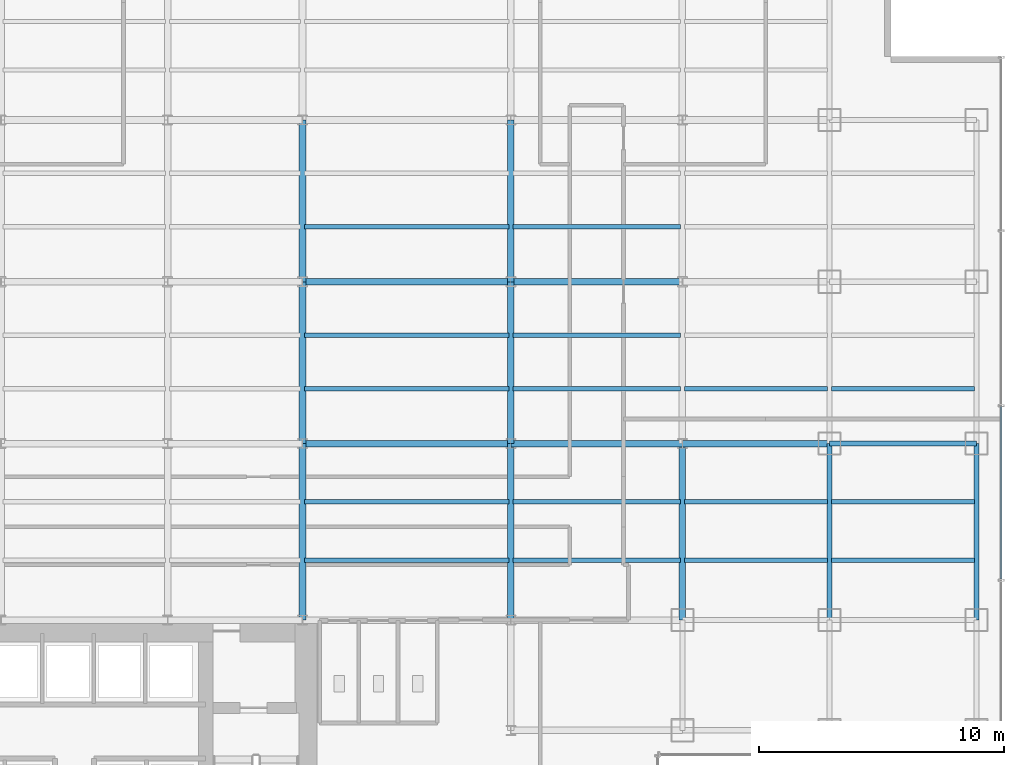
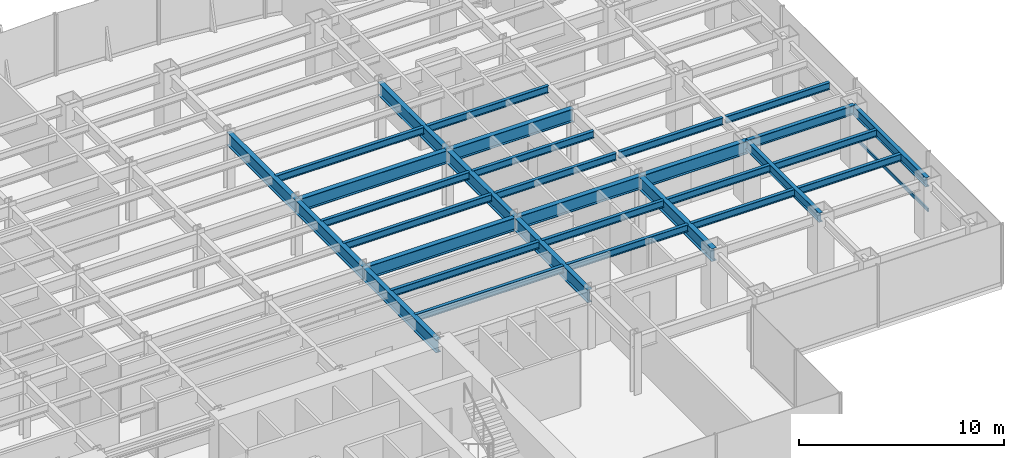
# One storey, part 8 of 22: 31 beams, 1 member, 1 element without a shape of its own.
"""IFC4 building model written with IfcOpenShell, lengths in metres."""

from ifc_helpers import new_model, si_unit, derived_unit, direction, frame, origin, origin_2d, place, context, subcontext, project, spatial, hollow_rectangle, i_section, extrude, source, transform, mapped, material, material_profile, profile_set, type_object, element, aggregate, save


model = new_model("IFC4")

# Units and contexts
model_context = context("Model", 3, precision=1e-05, world=origin(), true_north=direction((0.0, 1.0)))
body_context = subcontext(model_context, "Body", "Model", "MODEL_VIEW")
ifc_project = project(units=[si_unit("LENGTHUNIT", "METRE"), si_unit("AREAUNIT", "SQUARE_METRE"), si_unit("VOLUMEUNIT", "CUBIC_METRE"), si_unit("PLANEANGLEUNIT", "RADIAN"), si_unit("MASSUNIT", "GRAM", prefix="KILO"), derived_unit("THERMALTRANSMITTANCEUNIT", [(si_unit("POWERUNIT", "WATT"), 1), (si_unit("LENGTHUNIT", "METRE"), -2), (si_unit("THERMODYNAMICTEMPERATUREUNIT", "KELVIN"), -1)])], contexts=[model_context])

# Site, building, storey
site_placement = place(None, origin())
site = spatial("IfcSite", under=ifc_project, at=site_placement, CompositionType="ELEMENT")
building_placement = place(site_placement, origin())
building = spatial("IfcBuilding", under=site, at=building_placement, Name="Skarnbrae Concourse Arena and Tower", CompositionType="ELEMENT")
storey_placement = place(building_placement, frame((0.0, 0.0, 39.800048828125)))
storey = spatial("IfcBuildingStorey", under=building, at=storey_placement, Name="L08", CompositionType="ELEMENT", Elevation=39.800048828125)

# Beams
ifc_material_1 = material(Name="Steel CSA G40.21 350W", Category="steel")
ifc_material_profile_1 = material_profile(ifc_material_1, i_section(OverallWidth=0.26806640625, OverallDepth=0.77001953125, WebThickness=0.015625, FlangeThickness=0.025390625, at=origin_2d()), Name="W760X196")
ifc_profile_set_1 = profile_set([ifc_material_profile_1], Name="Steel CSA G40.21 350W")
beam_type_1 = type_object("IfcBeamType", Name="BM-GIRD-W760X196", PredefinedType="BEAM", material=ifc_profile_set_1)
shared_shape_1 = source(origin(), body_context, "Body", "SweptSolid", [
    extrude(i_section(OverallWidth=0.26806640625, OverallDepth=0.77001953125, WebThickness=0.015625, FlangeThickness=0.025390625, at=origin_2d()), origin(), (0.0, 0.0, 1.0), 7.0),
])
for number, where, z_axis, x_axis, name in (
    (1, (42.0, 21.199951171875, 3.014892578125), (1.0, 0.0, 0.0), (0.0, 1.0, 0.0), "L08 Primary E-W girder Y21.2-7"),
    (2, (42.0, 27.800048828125, 3.014892578125), (1.0, 0.0, 0.0), (0.0, 1.0, 0.0), "L08 Primary E-W girder Y27.8-7"),
):
    element("IfcBeam", number, at=place(storey_placement, frame(where, z_axis=z_axis, x_axis=x_axis)), inside=storey, type_object=beam_type_1, Name=name, PredefinedType="BEAM", context=body_context, shape_type="MappedRepresentation", body=[
        mapped(shared_shape_1, transform((0.0, 0.0, 0.0))),
    ])
ifc_material_profile_2 = material_profile(ifc_material_1, i_section(OverallWidth=0.214111328125, OverallDepth=0.549072265625, WebThickness=0.0146484375, FlangeThickness=0.023681640625, at=origin_2d()), Name="W530X138")
ifc_profile_set_2 = profile_set([ifc_material_profile_2], Name="Steel CSA G40.21 350W")
beam_type_2 = type_object("IfcBeamType", Name="BM-SPAN-W530X138", PredefinedType="SPANDREL", material=ifc_profile_set_2)
shared_shape_2 = source(origin(), body_context, "Body", "SweptSolid", [
    extrude(i_section(OverallWidth=0.214111328125, OverallDepth=0.549072265625, WebThickness=0.0146484375, FlangeThickness=0.023681640625, at=origin_2d()), origin(), (0.0, 0.0, 1.0), 6.0),
])
beam_1_placement = place(storey_placement, frame((55.0, 21.199951171875, 3.12548828125), z_axis=(1.0, 0.0, 0.0), x_axis=(0.0, 1.0, 0.0)))
element("IfcBeam", 3, at=beam_1_placement, inside=storey, type_object=beam_type_2, Name="L08 Perimeter spandrel Y21.2-9", PredefinedType="SPANDREL", context=body_context, shape_type="MappedRepresentation", body=[
    mapped(shared_shape_2, transform((0.0, 0.0, 0.0))),
])
shared_shape_3 = source(origin(), body_context, "Body", "SweptSolid", [
    extrude(i_section(OverallWidth=0.26806640625, OverallDepth=0.77001953125, WebThickness=0.015625, FlangeThickness=0.025390625, at=origin_2d()), origin(), (0.0, 0.0, 1.0), 6.60009765625),
])
for number, where, z_axis, x_axis, name in (
    (4, (33.5, 21.199951171875, 3.014892578125), (0.0, 1.0, 0.0), (-1.0, 0.0, 0.0), "L08 Primary N-S girder X33.5-2"),
    (5, (42.0, 21.199951171875, 3.014892578125), (0.0, 1.0, 0.0), (-1.0, 0.0, 0.0), "L08 Primary N-S girder X42.0-3"),
):
    element("IfcBeam", number, at=place(storey_placement, frame(where, z_axis=z_axis, x_axis=x_axis)), inside=storey, type_object=beam_type_1, Name=name, PredefinedType="BEAM", context=body_context, shape_type="MappedRepresentation", body=[
        mapped(shared_shape_3, transform((0.0, 0.0, 0.0))),
    ])
shared_shape_4 = source(origin(), body_context, "Body", "SweptSolid", [
    extrude(i_section(OverallWidth=0.26806640625, OverallDepth=0.77001953125, WebThickness=0.015625, FlangeThickness=0.025390625, at=origin_2d()), origin(), (0.0, 0.0, 1.0), 8.5),
])
for number, where, z_axis, x_axis, name in (
    (6, (33.5, 21.199951171875, 3.014892578125), (1.0, 0.0, 0.0), (0.0, 1.0, 0.0), "L08 Primary E-W girder Y21.2-6"),
    (7, (33.5, 27.800048828125, 3.014892578125), (1.0, 0.0, 0.0), (0.0, 1.0, 0.0), "L08 Primary E-W girder Y27.8-6"),
):
    element("IfcBeam", number, at=place(storey_placement, frame(where, z_axis=z_axis, x_axis=x_axis)), inside=storey, type_object=beam_type_1, Name=name, PredefinedType="BEAM", context=body_context, shape_type="MappedRepresentation", body=[
        mapped(shared_shape_4, transform((0.0, 0.0, 0.0))),
    ])
shared_shape_5 = source(origin(), body_context, "Body", "SweptSolid", [
    extrude(i_section(OverallWidth=0.26806640625, OverallDepth=0.77001953125, WebThickness=0.015625, FlangeThickness=0.025390625, at=origin_2d()), origin(), (0.0, 0.0, 1.0), 6.0),
])
beam_2_placement = place(storey_placement, frame((49.0, 21.199951171875, 3.014892578125), z_axis=(1.0, 0.0, 0.0), x_axis=(0.0, 1.0, 0.0)))
element("IfcBeam", 8, at=beam_2_placement, inside=storey, type_object=beam_type_1, Name="L08 Primary E-W girder Y21.2-8", PredefinedType="BEAM", context=body_context, shape_type="MappedRepresentation", body=[
    mapped(shared_shape_5, transform((0.0, 0.0, 0.0))),
])
shared_shape_6 = source(origin(), body_context, "Body", "SweptSolid", [
    extrude(i_section(OverallWidth=0.214111328125, OverallDepth=0.549072265625, WebThickness=0.0146484375, FlangeThickness=0.023681640625, at=origin_2d()), origin(), (0.0, 0.0, 1.0), 7.199951171875),
])
for number, where, z_axis, x_axis, name in (
    (9, (55.0, 14.0, 3.12548828125), (0.0, 1.0, 0.0), (-1.0, 0.0, 0.0), "L08 Perimeter spandrel X55.0-2"),
    (10, (61.0, 14.0, 3.12548828125), (0.0, 1.0, 0.0), (-1.0, 0.0, 0.0), "L08 Perimeter spandrel X61.0-2"),
):
    element("IfcBeam", number, at=place(storey_placement, frame(where, z_axis=z_axis, x_axis=x_axis)), inside=storey, type_object=beam_type_2, Name=name, PredefinedType="SPANDREL", context=body_context, shape_type="MappedRepresentation", body=[
        mapped(shared_shape_6, transform((0.0, 0.0, 0.0))),
    ])
shared_shape_7 = source(origin(), body_context, "Body", "SweptSolid", [
    extrude(i_section(OverallWidth=0.26806640625, OverallDepth=0.77001953125, WebThickness=0.015625, FlangeThickness=0.025390625, at=origin_2d()), origin(), (0.0, 0.0, 1.0), 7.199951171875),
])
for number, where, z_axis, x_axis, name in (
    (11, (33.5, 14.0, 3.014892578125), (0.0, 1.0, 0.0), (-1.0, 0.0, 0.0), "L08 Primary N-S girder X33.5-1"),
    (12, (42.0, 14.0, 3.014892578125), (0.0, 1.0, 0.0), (-1.0, 0.0, 0.0), "L08 Primary N-S girder X42.0-2"),
    (13, (49.0, 14.0, 3.014892578125), (0.0, 1.0, 0.0), (-1.0, 0.0, 0.0), "L08 Primary N-S girder X49.0-2"),
):
    element("IfcBeam", number, at=place(storey_placement, frame(where, z_axis=z_axis, x_axis=x_axis)), inside=storey, type_object=beam_type_1, Name=name, PredefinedType="BEAM", context=body_context, shape_type="MappedRepresentation", body=[
        mapped(shared_shape_7, transform((0.0, 0.0, 0.0))),
    ])
shared_shape_8 = source(origin(), body_context, "Body", "SweptSolid", [
    extrude(i_section(OverallWidth=0.26806640625, OverallDepth=0.77001953125, WebThickness=0.015625, FlangeThickness=0.025390625, at=origin_2d()), origin(), (0.0, 0.0, 1.0), 6.599853515625),
])
for number, where, z_axis, x_axis, name in (
    (14, (33.5, 27.800048828125, 3.014892578125), (0.0, 1.0, 0.0), (-1.0, 0.0, 0.0), "L08 Primary N-S girder X33.5-3"),
    (15, (42.0, 27.800048828125, 3.014892578125), (0.0, 1.0, 0.0), (-1.0, 0.0, 0.0), "L08 Primary N-S girder X42.0-4"),
):
    element("IfcBeam", number, at=place(storey_placement, frame(where, z_axis=z_axis, x_axis=x_axis)), inside=storey, type_object=beam_type_1, Name=name, PredefinedType="BEAM", context=body_context, shape_type="MappedRepresentation", body=[
        mapped(shared_shape_8, transform((0.0, 0.0, 0.0))),
    ])
ifc_material_profile_3 = material_profile(ifc_material_1, i_section(OverallWidth=0.180908203125, OverallDepth=0.4169921875, WebThickness=0.010986328125, FlangeThickness=0.018310546875, at=origin_2d()), Name="W410X85")
ifc_profile_set_3 = profile_set([ifc_material_profile_3], Name="Steel CSA G40.21 350W")
beam_type_3 = type_object("IfcBeamType", Name="BM-JOIST-W410X85", PredefinedType="JOIST", material=ifc_profile_set_3)
shared_shape_9 = source(origin(), body_context, "Body", "SweptSolid", [
    extrude(i_section(OverallWidth=0.180908203125, OverallDepth=0.4169921875, WebThickness=0.010986328125, FlangeThickness=0.018310546875, at=origin_2d()), origin(), (0.0, 0.0, 1.0), 8.33984375),
])
for number, where, z_axis, x_axis, name in (
    (16, (33.580078125, 16.447998046875, 3.19140625), (1.0, 0.0, 0.0), (0.0, 1.0, 0.0), "L08 Secondary floor joist 1.1.6"),
    (17, (33.580078125, 18.823974609375, 3.19140625), (1.0, 0.0, 0.0), (0.0, 1.0, 0.0), "L08 Secondary floor joist 1.2.6"),
    (18, (33.580078125, 23.444091796875, 3.19140625), (1.0, 0.0, 0.0), (0.0, 1.0, 0.0), "L08 Secondary floor joist 2.1.6"),
    (19, (33.580078125, 25.6220703125, 3.19140625), (1.0, 0.0, 0.0), (0.0, 1.0, 0.0), "L08 Secondary floor joist 2.2.6"),
    (20, (33.580078125, 30.0439453125, 3.19140625), (1.0, 0.0, 0.0), (0.0, 1.0, 0.0), "L08 Secondary floor joist 3.1.6"),
):
    element("IfcBeam", number, at=place(storey_placement, frame(where, z_axis=z_axis, x_axis=x_axis)), inside=storey, type_object=beam_type_3, Name=name, PredefinedType="JOIST", context=body_context, shape_type="MappedRepresentation", body=[
        mapped(shared_shape_9, transform((0.0, 0.0, 0.0))),
    ])
shared_shape_10 = source(origin(), body_context, "Body", "SweptSolid", [
    extrude(i_section(OverallWidth=0.180908203125, OverallDepth=0.4169921875, WebThickness=0.010986328125, FlangeThickness=0.018310546875, at=origin_2d()), origin(), (0.0, 0.0, 1.0), 6.83984375),
])
for number, where, z_axis, x_axis, name in (
    (21, (42.080078125, 16.447998046875, 3.19140625), (1.0, 0.0, 0.0), (0.0, 1.0, 0.0), "L08 Secondary floor joist 1.1.7"),
    (22, (42.080078125, 18.823974609375, 3.19140625), (1.0, 0.0, 0.0), (0.0, 1.0, 0.0), "L08 Secondary floor joist 1.2.7"),
    (23, (42.080078125, 23.444091796875, 3.19140625), (1.0, 0.0, 0.0), (0.0, 1.0, 0.0), "L08 Secondary floor joist 2.1.7"),
    (24, (42.080078125, 25.6220703125, 3.19140625), (1.0, 0.0, 0.0), (0.0, 1.0, 0.0), "L08 Secondary floor joist 2.2.7"),
    (25, (42.080078125, 30.0439453125, 3.19140625), (1.0, 0.0, 0.0), (0.0, 1.0, 0.0), "L08 Secondary floor joist 3.1.7"),
):
    element("IfcBeam", number, at=place(storey_placement, frame(where, z_axis=z_axis, x_axis=x_axis)), inside=storey, type_object=beam_type_3, Name=name, PredefinedType="JOIST", context=body_context, shape_type="MappedRepresentation", body=[
        mapped(shared_shape_10, transform((0.0, 0.0, 0.0))),
    ])
shared_shape_11 = source(origin(), body_context, "Body", "SweptSolid", [
    extrude(i_section(OverallWidth=0.180908203125, OverallDepth=0.4169921875, WebThickness=0.010986328125, FlangeThickness=0.018310546875, at=origin_2d()), origin(), (0.0, 0.0, 1.0), 5.83984375),
])
for number, where, z_axis, x_axis, name in (
    (26, (49.080078125, 16.447998046875, 3.19140625), (1.0, 0.0, 0.0), (0.0, 1.0, 0.0), "L08 Secondary floor joist 1.1.8"),
    (27, (55.080078125, 16.447998046875, 3.19140625), (1.0, 0.0, 0.0), (0.0, 1.0, 0.0), "L08 Secondary floor joist 1.1.9"),
    (28, (49.080078125, 18.823974609375, 3.19140625), (1.0, 0.0, 0.0), (0.0, 1.0, 0.0), "L08 Secondary floor joist 1.2.8"),
    (29, (55.080078125, 18.823974609375, 3.19140625), (1.0, 0.0, 0.0), (0.0, 1.0, 0.0), "L08 Secondary floor joist 1.2.9"),
    (30, (49.080078125, 23.444091796875, 3.19140625), (1.0, 0.0, 0.0), (0.0, 1.0, 0.0), "L08 Secondary floor joist 2.1.8"),
    (31, (55.080078125, 23.444091796875, 3.19140625), (1.0, 0.0, 0.0), (0.0, 1.0, 0.0), "L08 Secondary floor joist 2.1.9"),
):
    element("IfcBeam", number, at=place(storey_placement, frame(where, z_axis=z_axis, x_axis=x_axis)), inside=storey, type_object=beam_type_3, Name=name, PredefinedType="JOIST", context=body_context, shape_type="MappedRepresentation", body=[
        mapped(shared_shape_11, transform((0.0, 0.0, 0.0))),
    ])

# Curtain wall, member
ifc_material_2 = material(Name="Bronze anodised aluminium 6063-T6", Category="aluminium")
curtain_wall_type = type_object("IfcCurtainWallType", Name="CW-SYS-02-LOWZONE", PredefinedType="USERDEFINED", material=ifc_material_2)
curtain_wall_placement = place(storey_placement, origin())
curtain_wall = element("IfcCurtainWall", 32, at=curtain_wall_placement, inside=storey, type_object=curtain_wall_type, Name="L08 Unitised curtain wall CW-L08-E04", ObjectType="UNITISED CURTAIN WALL", PredefinedType="USERDEFINED")
ifc_material_profile_4 = material_profile(ifc_material_2, hollow_rectangle(XDim=0.080078125, YDim=0.18994140625, WallThickness=0.0048828125, at=origin_2d()), Name="ALU-TRAN-80X190")
ifc_profile_set_4 = profile_set([ifc_material_profile_4], Name="Bronze anodised aluminium 6063-T6")
member_type = type_object("IfcMemberType", Name="CWT-CW-02", PredefinedType="USERDEFINED", material=ifc_profile_set_4)
shared_shape_12 = source(origin(), body_context, "Body", "SweptSolid", [
    extrude(hollow_rectangle(XDim=0.080078125, YDim=0.18994140625, WallThickness=0.0048828125, at=origin_2d()), origin(), (0.0, 0.0, 1.0), 7.044921875),
])
member_placement = place(storey_placement, frame((62.0, 15.6650390625, 0.094970703125), z_axis=(0.0, 1.0, 0.0), x_axis=(-1.0, 0.0, 0.0)))
member = element("IfcMember", 33, at=member_placement, type_object=member_type, Name="CW-L08-E04 Transom 2", ObjectType="TRANSOM", PredefinedType="USERDEFINED", context=body_context, shape_type="MappedRepresentation", body=[
    mapped(shared_shape_12, transform((0.0, 0.0, 0.0))),
])
aggregate(curtain_wall, [member])

save(model, "model.ifc")
